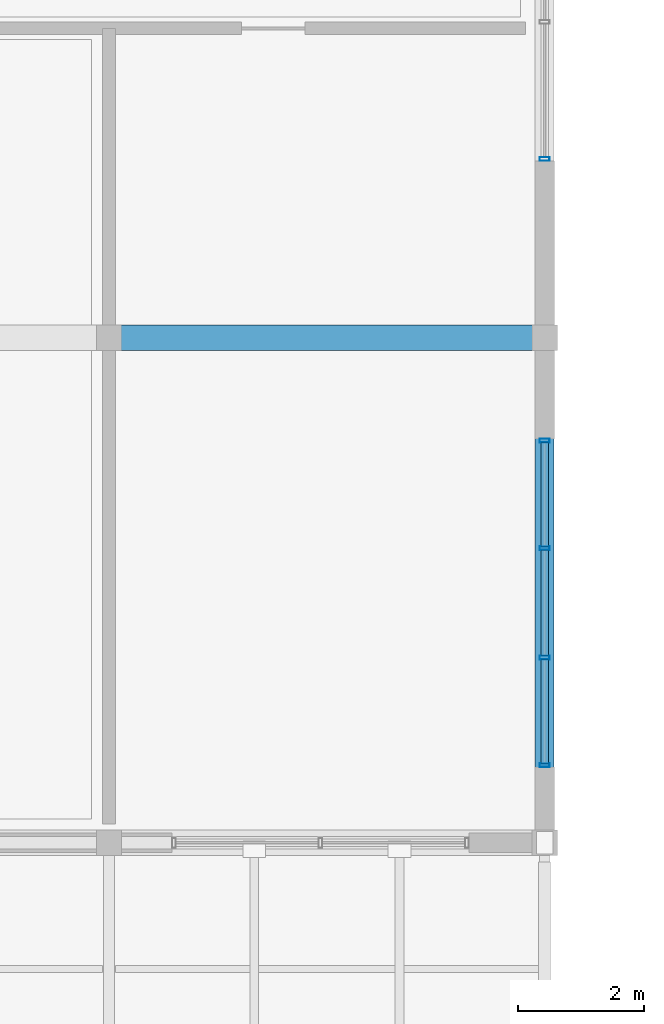
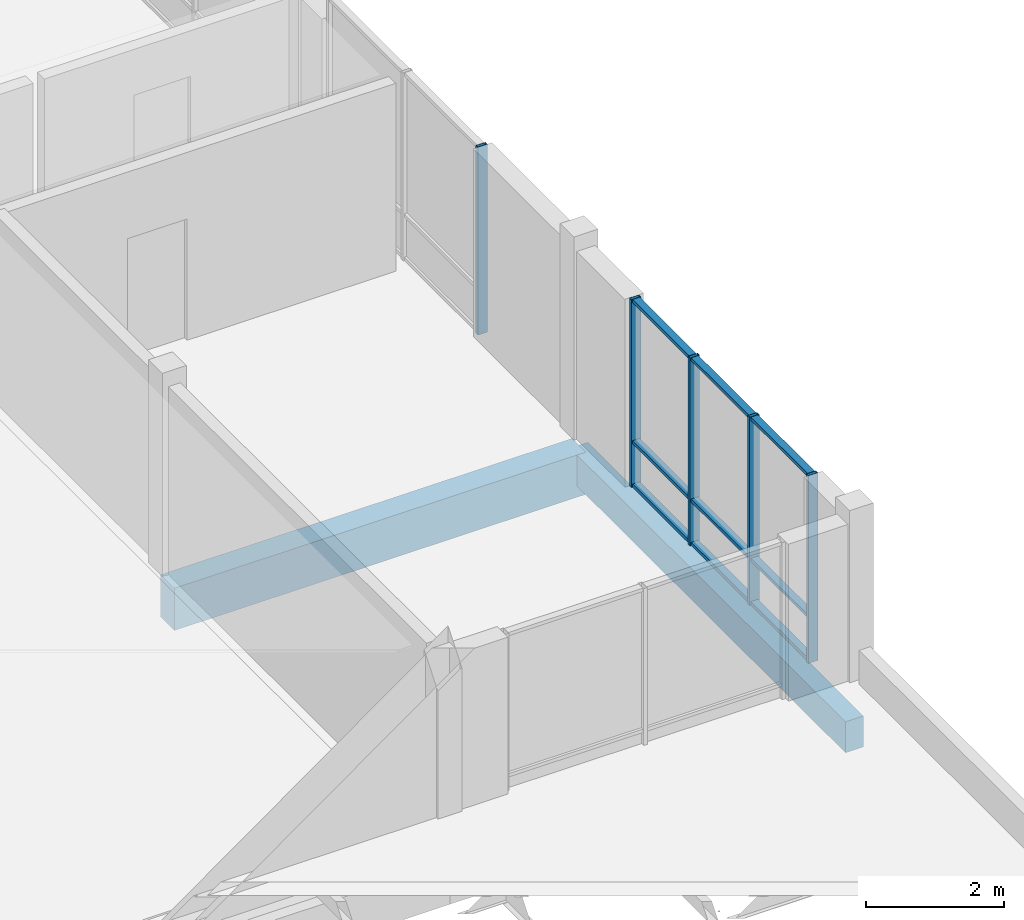
# One storey, part 70 of 189: 14 members, 2 beams, 2 elements without a shape of their own.
"""IFC4 building model written with IfcOpenShell, lengths in metres."""

from ifc_helpers import new_model, si_unit, direction, frame, origin, origin_2d, place, context, subcontext, project, spatial, rectangle, hollow_rectangle, extrude, material, material_profile, profile_set, type_object, element, aggregate, save


model = new_model("IFC4")

# Units and contexts
model_context = context("Model", 3, precision=1e-05, world=origin(), true_north=direction((0.0, 1.0)))
body_context = subcontext(model_context, "Body", "Model", "MODEL_VIEW")
ifc_project = project(units=[si_unit("LENGTHUNIT", "METRE"), si_unit("AREAUNIT", "SQUARE_METRE"), si_unit("VOLUMEUNIT", "CUBIC_METRE"), si_unit("PLANEANGLEUNIT", "RADIAN"), si_unit("MASSUNIT", "GRAM", prefix="KILO")], contexts=[model_context])

# Site, building, storey
site_placement = place(None, origin())
site = spatial("IfcSite", under=ifc_project, at=site_placement, CompositionType="ELEMENT")
building_placement = place(site_placement, origin())
building = spatial("IfcBuilding", under=site, at=building_placement, Name="Zavelmont Quarter", CompositionType="ELEMENT")
storey_placement = place(building_placement, frame((0.0, 0.0, 4.39990234375)))
storey = spatial("IfcBuildingStorey", under=building, at=storey_placement, Name="L01", CompositionType="ELEMENT", Elevation=4.39990234375)

# Beams
ifc_material_1 = material(Name="Concrete C35/45", Category="concrete")
ifc_material_profile_1 = material_profile(ifc_material_1, rectangle(XDim=0.300048828125, YDim=0.550048828125, at=origin_2d()), Name="RC300X550")
ifc_profile_set_1 = profile_set([ifc_material_profile_1], Name="Concrete C35/45")
beam_type_1 = type_object("IfcBeamType", Name="BM02", PredefinedType="SPANDREL", material=ifc_profile_set_1)
beam_1_placement = place(storey_placement, frame((20.699951171875, 62.0, -0.554931640625), z_axis=(0.0, 1.0, 0.0), x_axis=(-1.0, 0.0, 0.0)))
element("IfcBeam", 1, at=beam_1_placement, inside=storey, type_object=beam_type_1, Name="L01 beam BM02 4/K to 4/L", PredefinedType="SPANDREL", context=body_context, shape_type="SweptSolid", body=[
    extrude(rectangle(XDim=0.300048828125, YDim=0.550048828125, at=origin_2d()), origin(), (0.0, 0.0, 1.0), 8.0),
])
ifc_material_2 = material(Name="Concrete C40/50", Category="concrete")
ifc_material_profile_2 = material_profile(ifc_material_2, rectangle(XDim=0.39990234375, YDim=0.75, at=origin_2d()), Name="RC400X750")
ifc_profile_set_2 = profile_set([ifc_material_profile_2], Name="Concrete C40/50")
beam_type_2 = type_object("IfcBeamType", Name="BM05", PredefinedType="BEAM", material=ifc_profile_set_2)
beam_2_placement = place(storey_placement, frame((13.800048828125, 70.0, -0.65478515625), z_axis=(1.0, 0.0, 0.0), x_axis=(0.0, 1.0, 0.0)))
element("IfcBeam", 2, at=beam_2_placement, inside=storey, type_object=beam_type_2, Name="L01 beam BM05 3/L to 4/L", PredefinedType="BEAM", context=body_context, shape_type="SweptSolid", body=[
    extrude(rectangle(XDim=0.39990234375, YDim=0.75, at=origin_2d()), origin(), (0.0, 0.0, 1.0), 6.89990234375),
])

# Curtain wall, members
ifc_material_3 = material(Name="Thermally broken aluminium and double low-E safety glazing", Category="aluminium")
curtain_wall_type_1 = type_object("IfcCurtainWallType", Name="CW-520X333", PredefinedType="NOTDEFINED", material=ifc_material_3)
curtain_wall_1_placement = place(storey_placement, origin())
curtain_wall_1 = element("IfcCurtainWall", 3, at=curtain_wall_1_placement, inside=storey, type_object=curtain_wall_type_1, Name="L01 unitised curtain wall CW-520X333", PredefinedType="NOTDEFINED")
ifc_material_4 = material(Name="Powder-coated aluminium EN AW-6063-T6", Category="aluminium")
ifc_material_profile_3 = material_profile(ifc_material_4, hollow_rectangle(XDim=0.06005859375, YDim=0.159912109375, WallThickness=0.00390625, at=origin_2d()), Name="CWM60X160")
ifc_profile_set_3 = profile_set([ifc_material_profile_3], Name="Powder-coated aluminium EN AW-6063-T6")
member_type_1 = type_object("IfcMemberType", Name="CWM01", PredefinedType="MULLION", material=ifc_profile_set_3)
member_1_placement = place(storey_placement, frame((20.699951171875, 63.22998046875, 0.0), z_axis=(0.0, 0.0, 1.0), x_axis=(0.0, 1.0, 0.0)))
member_1 = element("IfcMember", 4, at=member_1_placement, type_object=member_type_1, Name="CW-520X333 mullion 1", PredefinedType="MULLION", context=body_context, shape_type="SweptSolid", body=[
    extrude(hollow_rectangle(XDim=0.06005859375, YDim=0.159912109375, WallThickness=0.00390625, at=origin_2d()), origin(), (0.0, 0.0, 1.0), 3.330078125),
])
member_2_placement = place(storey_placement, frame((20.699951171875, 64.933349609375, 0.0), z_axis=(0.0, 0.0, 1.0), x_axis=(0.0, 1.0, 0.0)))
member_2 = element("IfcMember", 5, at=member_2_placement, type_object=member_type_1, Name="CW-520X333 mullion 2", PredefinedType="MULLION", context=body_context, shape_type="SweptSolid", body=[
    extrude(hollow_rectangle(XDim=0.06005859375, YDim=0.159912109375, WallThickness=0.00390625, at=origin_2d()), origin(), (0.0, 0.0, 1.0), 3.330078125),
])
member_3_placement = place(storey_placement, frame((20.699951171875, 66.666748046875, 0.0), z_axis=(0.0, 0.0, 1.0), x_axis=(0.0, 1.0, 0.0)))
member_3 = element("IfcMember", 6, at=member_3_placement, type_object=member_type_1, Name="CW-520X333 mullion 3", PredefinedType="MULLION", context=body_context, shape_type="SweptSolid", body=[
    extrude(hollow_rectangle(XDim=0.06005859375, YDim=0.159912109375, WallThickness=0.00390625, at=origin_2d()), origin(), (0.0, 0.0, 1.0), 3.330078125),
])
member_4_placement = place(storey_placement, frame((20.699951171875, 68.3701171875, 0.0), z_axis=(0.0, 0.0, 1.0), x_axis=(0.0, 1.0, 0.0)))
member_4 = element("IfcMember", 7, at=member_4_placement, type_object=member_type_1, Name="CW-520X333 mullion 4", PredefinedType="MULLION", context=body_context, shape_type="SweptSolid", body=[
    extrude(hollow_rectangle(XDim=0.06005859375, YDim=0.159912109375, WallThickness=0.00390625, at=origin_2d()), origin(), (0.0, 0.0, 1.0), 3.330078125),
])

# Curtain wall, member
curtain_wall_type_2 = type_object("IfcCurtainWallType", Name="CW-440X333", PredefinedType="NOTDEFINED", material=ifc_material_3)
curtain_wall_2_placement = place(storey_placement, origin())
curtain_wall_2 = element("IfcCurtainWall", 8, at=curtain_wall_2_placement, inside=storey, type_object=curtain_wall_type_2, Name="L01 unitised curtain wall CW-440X333", PredefinedType="NOTDEFINED")
member_5_placement = place(storey_placement, frame((20.699951171875, 72.830078125, 0.0), z_axis=(0.0, 0.0, 1.0), x_axis=(0.0, 1.0, 0.0)))
member_5 = element("IfcMember", 9, at=member_5_placement, type_object=member_type_1, Name="CW-440X333 mullion 1", PredefinedType="MULLION", context=body_context, shape_type="SweptSolid", body=[
    extrude(hollow_rectangle(XDim=0.06005859375, YDim=0.159912109375, WallThickness=0.00390625, at=origin_2d()), origin(), (0.0, 0.0, 1.0), 3.330078125),
])
aggregate(curtain_wall_2, [member_5])

# Member
ifc_material_profile_4 = material_profile(ifc_material_4, hollow_rectangle(XDim=0.1201171875, YDim=0.06005859375, WallThickness=0.00390625, at=origin_2d()), Name="CWT60X120")
ifc_profile_set_4 = profile_set([ifc_material_profile_4], Name="Powder-coated aluminium EN AW-6063-T6")
member_type_2 = type_object("IfcMemberType", Name="CWT01", PredefinedType="NOTDEFINED", material=ifc_profile_set_4)
member_6_placement = place(storey_placement, frame((20.699951171875, 63.260009765625, 0.030029296875), z_axis=(0.0, 1.0, 0.0), x_axis=(-1.0, 0.0, 0.0)))
member_6 = element("IfcMember", 10, at=member_6_placement, type_object=member_type_2, Name="CW-520X333 transom 1.1", ObjectType="TRANSOM", PredefinedType="USERDEFINED", context=body_context, shape_type="SweptSolid", body=[
    extrude(hollow_rectangle(XDim=0.1201171875, YDim=0.06005859375, WallThickness=0.00390625, at=origin_2d()), origin(), (0.0, 0.0, 1.0), 1.643310546875),
])

member_7_placement = place(storey_placement, frame((20.699951171875, 63.260009765625, 0.799072265625), z_axis=(0.0, 1.0, 0.0), x_axis=(-1.0, 0.0, 0.0)))
member_7 = element("IfcMember", 11, at=member_7_placement, type_object=member_type_2, Name="CW-520X333 transom 1.2", ObjectType="TRANSOM", PredefinedType="USERDEFINED", context=body_context, shape_type="SweptSolid", body=[
    extrude(hollow_rectangle(XDim=0.1201171875, YDim=0.06005859375, WallThickness=0.00390625, at=origin_2d()), origin(), (0.0, 0.0, 1.0), 1.643310546875),
])

member_8_placement = place(storey_placement, frame((20.699951171875, 63.260009765625, 3.300048828125), z_axis=(0.0, 1.0, 0.0), x_axis=(-1.0, 0.0, 0.0)))
member_8 = element("IfcMember", 12, at=member_8_placement, type_object=member_type_2, Name="CW-520X333 transom 1.3", ObjectType="TRANSOM", PredefinedType="USERDEFINED", context=body_context, shape_type="SweptSolid", body=[
    extrude(hollow_rectangle(XDim=0.1201171875, YDim=0.06005859375, WallThickness=0.00390625, at=origin_2d()), origin(), (0.0, 0.0, 1.0), 1.643310546875),
])

member_9_placement = place(storey_placement, frame((20.699951171875, 64.96337890625, 0.030029296875), z_axis=(0.0, 1.0, 0.0), x_axis=(-1.0, 0.0, 0.0)))
member_9 = element("IfcMember", 13, at=member_9_placement, type_object=member_type_2, Name="CW-520X333 transom 2.1", ObjectType="TRANSOM", PredefinedType="USERDEFINED", context=body_context, shape_type="SweptSolid", body=[
    extrude(hollow_rectangle(XDim=0.1201171875, YDim=0.06005859375, WallThickness=0.00390625, at=origin_2d()), origin(), (0.0, 0.0, 1.0), 1.67333984375),
])

member_10_placement = place(storey_placement, frame((20.699951171875, 64.96337890625, 0.799072265625), z_axis=(0.0, 1.0, 0.0), x_axis=(-1.0, 0.0, 0.0)))
member_10 = element("IfcMember", 14, at=member_10_placement, type_object=member_type_2, Name="CW-520X333 transom 2.2", ObjectType="TRANSOM", PredefinedType="USERDEFINED", context=body_context, shape_type="SweptSolid", body=[
    extrude(hollow_rectangle(XDim=0.1201171875, YDim=0.06005859375, WallThickness=0.00390625, at=origin_2d()), origin(), (0.0, 0.0, 1.0), 1.67333984375),
])

member_11_placement = place(storey_placement, frame((20.699951171875, 64.96337890625, 3.300048828125), z_axis=(0.0, 1.0, 0.0), x_axis=(-1.0, 0.0, 0.0)))
member_11 = element("IfcMember", 15, at=member_11_placement, type_object=member_type_2, Name="CW-520X333 transom 2.3", ObjectType="TRANSOM", PredefinedType="USERDEFINED", context=body_context, shape_type="SweptSolid", body=[
    extrude(hollow_rectangle(XDim=0.1201171875, YDim=0.06005859375, WallThickness=0.00390625, at=origin_2d()), origin(), (0.0, 0.0, 1.0), 1.67333984375),
])

member_12_placement = place(storey_placement, frame((20.699951171875, 66.69677734375, 0.030029296875), z_axis=(0.0, 1.0, 0.0), x_axis=(-1.0, 0.0, 0.0)))
member_12 = element("IfcMember", 16, at=member_12_placement, type_object=member_type_2, Name="CW-520X333 transom 3.1", ObjectType="TRANSOM", PredefinedType="USERDEFINED", context=body_context, shape_type="SweptSolid", body=[
    extrude(hollow_rectangle(XDim=0.1201171875, YDim=0.06005859375, WallThickness=0.00390625, at=origin_2d()), origin(), (0.0, 0.0, 1.0), 1.643310546875),
])

member_13_placement = place(storey_placement, frame((20.699951171875, 66.69677734375, 0.799072265625), z_axis=(0.0, 1.0, 0.0), x_axis=(-1.0, 0.0, 0.0)))
member_13 = element("IfcMember", 17, at=member_13_placement, type_object=member_type_2, Name="CW-520X333 transom 3.2", ObjectType="TRANSOM", PredefinedType="USERDEFINED", context=body_context, shape_type="SweptSolid", body=[
    extrude(hollow_rectangle(XDim=0.1201171875, YDim=0.06005859375, WallThickness=0.00390625, at=origin_2d()), origin(), (0.0, 0.0, 1.0), 1.643310546875),
])

member_14_placement = place(storey_placement, frame((20.699951171875, 66.69677734375, 3.300048828125), z_axis=(0.0, 1.0, 0.0), x_axis=(-1.0, 0.0, 0.0)))
member_14 = element("IfcMember", 18, at=member_14_placement, type_object=member_type_2, Name="CW-520X333 transom 3.3", ObjectType="TRANSOM", PredefinedType="USERDEFINED", context=body_context, shape_type="SweptSolid", body=[
    extrude(hollow_rectangle(XDim=0.1201171875, YDim=0.06005859375, WallThickness=0.00390625, at=origin_2d()), origin(), (0.0, 0.0, 1.0), 1.643310546875),
])

aggregate(curtain_wall_1, [member_1, member_2, member_3, member_4, member_6, member_7, member_8, member_9, member_10, member_11, member_12, member_13, member_14])

save(model, "model.ifc")
